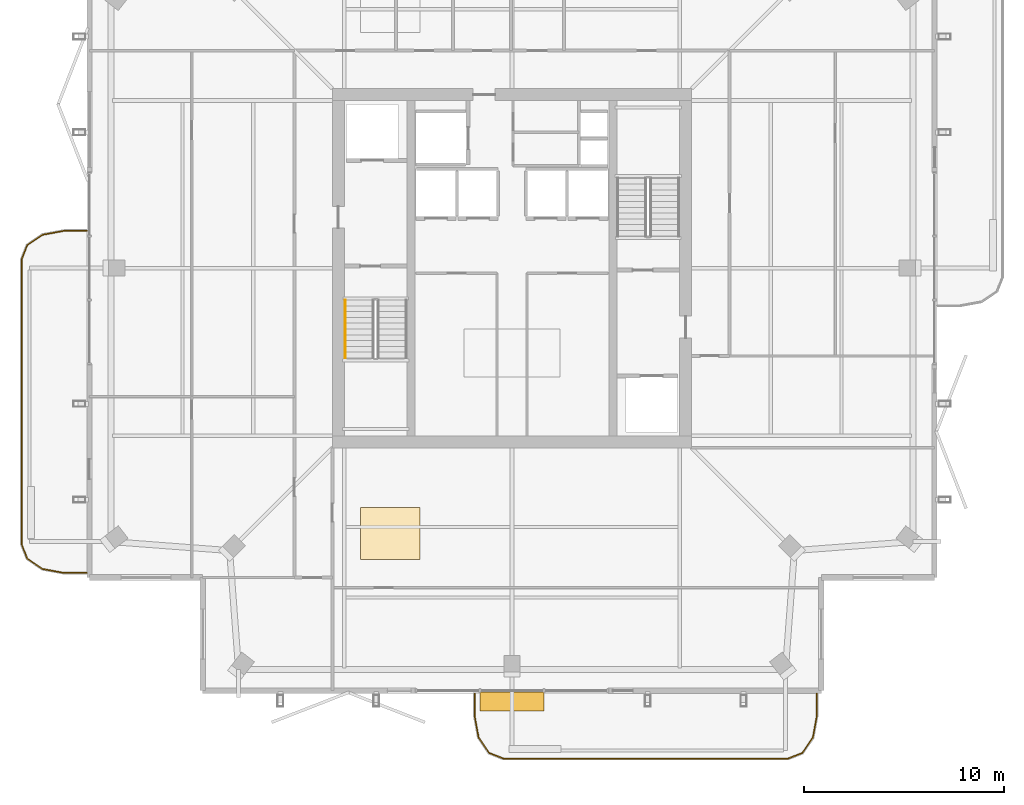
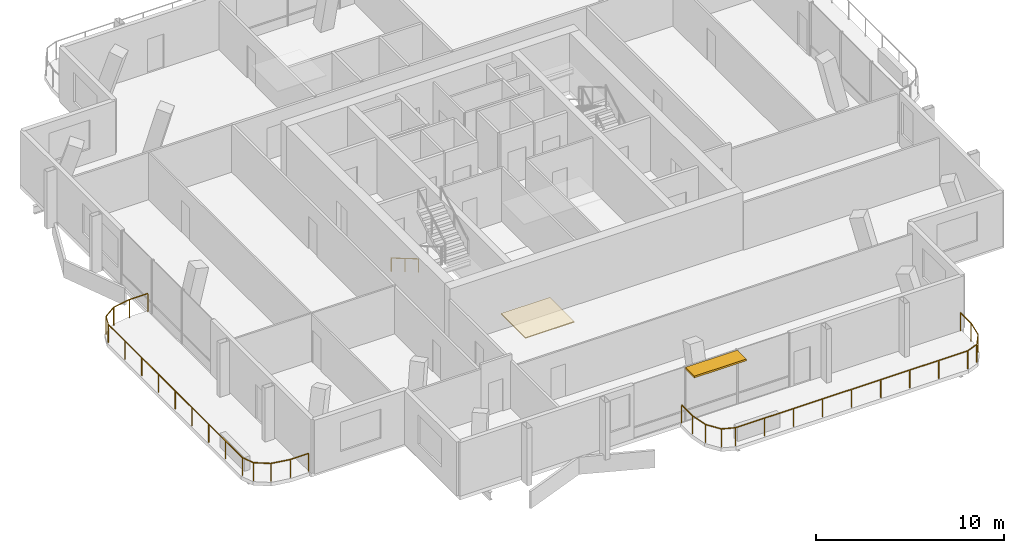
# One storey, part 18 of 20: 3 railings, 1 covering, 1 shading device.
"""IFC4 building model written with IfcOpenShell, lengths in metres."""

import ifcopenshell
import ifcopenshell.guid

model = None  # the IFC model being written
_history = None  # IfcOwnerHistory: only IFC2X3 demands one
_inside = {}  # id of a spatial element -> (the spatial element, [elements in it])
_under = {}  # id of a project, library or spatial element -> (it, [spatial elements below it])
_declared = {}  # id of a project -> (the project, [libraries it declares])
_typed = {}  # id of a type object -> (the type object, [elements of that type])
_made_of = {}  # id of a material, layer set ... -> (it, [elements and type objects made of it])


def new_model(schema):
    """Start an empty IFC model of exactly this schema.

    Asked for "IFC4X3", IfcOpenShell would pick the latest addendum, in which some entities
    have other attributes; the version numbers below select the first issue.
    IFC2X3 requires an IfcOwnerHistory on every rooted entity: one is made here for all.
    """
    global model, _history
    if schema == "IFC4X3":
        model = ifcopenshell.file(schema_version=(4, 3, 0, 0))
    else:
        model = ifcopenshell.file(schema=schema)
    _inside.clear()
    _under.clear()
    _declared.clear()
    _typed.clear()
    _made_of.clear()
    _history = None
    if model.schema == "IFC2X3":
        org = make("IfcOrganization", Name="unknown")
        user = make(
            "IfcPersonAndOrganization",
            ThePerson=make("IfcPerson", FamilyName="unknown"),
            TheOrganization=org,
        )
        app = make(
            "IfcApplication",
            ApplicationDeveloper=org,
            Version="unknown",
            ApplicationFullName="unknown",
            ApplicationIdentifier="unknown",
        )
        _history = make(
            "IfcOwnerHistory",
            OwningUser=user,
            OwningApplication=app,
            ChangeAction="ADDED",
            CreationDate=0,
        )
    return model


def make(cls, **values):
    """One entity of the class cls with the attributes given. An attribute that is None is left unset."""
    return model.create_entity(
        cls, **{name: value for name, value in values.items() if value is not None}
    )


def rooted(cls, **values):
    """An entity with a GlobalId (a new one), such as an element, a storey or a relation."""
    return make(cls, GlobalId=ifcopenshell.guid.new(), OwnerHistory=_history, **values)


def si_unit(unit_type, name, prefix=None):
    """IfcSIUnit, for example si_unit("LENGTHUNIT", "METRE", prefix="MILLI")."""
    return make("IfcSIUnit", UnitType=unit_type, Prefix=prefix, Name=name)


def assignment(units):
    """IfcUnitAssignment: the units of a project."""
    return None if units is None else make("IfcUnitAssignment", Units=units)


def point(xyz):
    """IfcCartesianPoint."""
    return None if xyz is None else make("IfcCartesianPoint", Coordinates=xyz)


def direction(xyz):
    """IfcDirection."""
    return None if xyz is None else make("IfcDirection", DirectionRatios=xyz)


def frame(location, z_axis=None, x_axis=None):
    """IfcAxis2Placement3D, a coordinate frame: its origin and axes. An axis left out is left unset."""
    return make(
        "IfcAxis2Placement3D",
        Location=point(location),
        Axis=direction(z_axis),
        RefDirection=direction(x_axis),
    )


def frame_2d(location, x_axis=None):
    """IfcAxis2Placement2D, a coordinate frame in the plane: its origin and x axis."""
    return make(
        "IfcAxis2Placement2D", Location=point(location), RefDirection=direction(x_axis)
    )


def origin():
    """The frame at (0, 0, 0) with its axes left unset."""
    return frame((0.0, 0.0, 0.0))


def origin_2d():
    """The frame at (0, 0) in the plane with its x axis left unset."""
    return frame_2d((0.0, 0.0))


def place(relative_to, where):
    """IfcLocalPlacement: puts the frame where relative to a parent placement (None: the world)."""
    return make(
        "IfcLocalPlacement", PlacementRelTo=relative_to, RelativePlacement=where
    )


def context(
    kind, dimensions, precision=None, world=None, true_north=None, identifier=None
):
    """IfcGeometricRepresentationContext, for example the 3D "Model" context."""
    return make(
        "IfcGeometricRepresentationContext",
        ContextIdentifier=identifier,
        ContextType=kind,
        CoordinateSpaceDimension=dimensions,
        Precision=precision,
        WorldCoordinateSystem=world,
        TrueNorth=true_north,
    )


def subcontext(parent, identifier, kind, view, scale=None):
    """IfcGeometricRepresentationSubContext, for example "Body" below "Model"."""
    return make(
        "IfcGeometricRepresentationSubContext",
        ContextIdentifier=identifier,
        ContextType=kind,
        ParentContext=parent,
        TargetScale=scale,
        TargetView=view,
    )


def project(units=None, contexts=None):
    """IfcProject with its units and contexts."""
    return rooted(
        "IfcProject",
        Name="project",
        RepresentationContexts=contexts,
        UnitsInContext=assignment(units),
    )


def spatial(cls, under=None, at=None, **own):
    """A site, building, storey or space (cls), placed at a placement, below another one or the project."""
    s = rooted(cls, ObjectPlacement=at, **own)
    if under is not None:
        _under.setdefault(under.id(), (under, []))[1].append(s)
    return s


def polyline(points):
    """IfcPolyline through the points."""
    return make("IfcPolyline", Points=[point(p) for p in points])


def profile(cls, at=None, kind="AREA", **sizes):
    """A parametric profile (cls). Its sizes go by their IFC names, for example OverallWidth=200.0."""
    return make(cls, ProfileType=kind, Position=at, **sizes)


def rectangle(**sizes):
    """IfcRectangleProfileDef."""
    return profile("IfcRectangleProfileDef", **sizes)


def outline(outer, holes=None, kind="AREA"):
    """IfcArbitraryClosedProfileDef: a profile drawn as a closed curve; with holes, ...WithVoids."""
    if holes is None:
        return make("IfcArbitraryClosedProfileDef", ProfileType=kind, OuterCurve=outer)
    return make(
        "IfcArbitraryProfileDefWithVoids",
        ProfileType=kind,
        OuterCurve=outer,
        InnerCurves=holes,
    )


def extrude(swept, where, along, depth):
    """IfcExtrudedAreaSolid: the profile swept, set in the frame where, extruded along a direction by depth."""
    return make(
        "IfcExtrudedAreaSolid",
        SweptArea=swept,
        Position=where,
        ExtrudedDirection=direction(along),
        Depth=depth,
    )


def shape(context_of_items, identifier, shape_type, items):
    """IfcShapeRepresentation: the items that make up one representation, for example the "Body"."""
    return make(
        "IfcShapeRepresentation",
        ContextOfItems=context_of_items,
        RepresentationIdentifier=identifier,
        RepresentationType=shape_type,
        Items=items,
    )


def material(Name=None, Category=None):
    """IfcMaterial."""
    return make("IfcMaterial", Name=Name, Category=Category)


def layer(
    of_material, thickness, ventilated=None, Name=None, Category=None, Priority=None
):
    """IfcMaterialLayer: one layer of a wall or slab, of a material (None: an air gap)."""
    return make(
        "IfcMaterialLayer",
        Material=of_material,
        LayerThickness=thickness,
        IsVentilated=ventilated,
        Name=Name,
        Category=Category,
        Priority=Priority,
    )


def layer_set(layers, Name=None):
    """IfcMaterialLayerSet."""
    return make("IfcMaterialLayerSet", MaterialLayers=layers, LayerSetName=Name)


def made_of(thing, what):
    """Note that an element or type object is made of a material, layer set ...; save() writes the relation."""
    if what is not None:
        _made_of.setdefault(what.id(), (what, []))[1].append(thing)
    return thing


def type_object(cls, material=None, **own):
    """A type object (cls), such as IfcWallType, which elements share."""
    return made_of(rooted(cls, **own), material)


def element(
    cls,
    number,
    at=None,
    inside=None,
    cuts=None,
    type_object=None,
    material=None,
    context=None,
    identifier="Body",
    shape_type=None,
    held_by="IfcProductDefinitionShape",
    body=None,
    shapes=None,
    **own,
):
    """One element of the class cls, such as IfcWall. Its Tag is "e" and its number.

    at: its placement. inside: the storey or other place that contains it. cuts: it is an
    opening in that element (IfcRelVoidsElement). A single representation is given by context,
    identifier, shape_type and body (its items); several are given by shapes. held_by: the class
    of the entity that holds the representations. save() writes the other relations.
    """
    e = rooted(cls, Tag="e%d" % number, ObjectPlacement=at, **own)
    if body is not None:
        shapes = [shape(context, identifier, shape_type, body)]
    if shapes is not None:
        e.Representation = make(held_by, Representations=shapes)
    if inside is not None:
        _inside.setdefault(inside.id(), (inside, []))[1].append(e)
    if cuts is not None:
        rooted(
            "IfcRelVoidsElement", RelatingBuildingElement=cuts, RelatedOpeningElement=e
        )
    if type_object is not None:
        _typed.setdefault(type_object.id(), (type_object, []))[1].append(e)
    return made_of(e, material)


def aggregate(whole, parts):
    """IfcRelAggregates: a whole, such as a stair, and the parts it consists of."""
    return rooted("IfcRelAggregates", RelatingObject=whole, RelatedObjects=parts)


def save(model, path):
    """Write the relations noted so far, then the file.

    IfcRelAggregates (storeys below a building ...), IfcRelContainedInSpatialStructure (elements
    in a storey), IfcRelDefinesByType, IfcRelAssociatesMaterial and IfcRelDeclares: one each for
    every whole, place, type object, material and project.
    """
    for whole, parts in _under.values():
        aggregate(whole, parts)
    for where, things in _inside.values():
        rooted(
            "IfcRelContainedInSpatialStructure",
            RelatedElements=things,
            RelatingStructure=where,
        )
    for kind, things in _typed.values():
        rooted("IfcRelDefinesByType", RelatedObjects=things, RelatingType=kind)
    for what, things in _made_of.values():
        rooted("IfcRelAssociatesMaterial", RelatedObjects=things, RelatingMaterial=what)
    for by, libraries in _declared.values():
        rooted("IfcRelDeclares", RelatingContext=by, RelatedDefinitions=libraries)
    model.write(path)


model = new_model("IFC4")

# Units and contexts
model_context = context("Model", 3, precision=1e-05, world=origin(), true_north=direction((0.0, 1.0)))
body_context = subcontext(model_context, "Body", "Model", "MODEL_VIEW")
ifc_project = project(units=[si_unit("LENGTHUNIT", "METRE"), si_unit("AREAUNIT", "SQUARE_METRE"), si_unit("VOLUMEUNIT", "CUBIC_METRE"), si_unit("PLANEANGLEUNIT", "RADIAN"), si_unit("MASSUNIT", "GRAM", prefix="KILO")], contexts=[model_context])

# Site, building, storey
site_placement = place(None, origin())
site = spatial("IfcSite", under=ifc_project, at=site_placement, CompositionType="ELEMENT")
building_placement = place(site_placement, origin())
building = spatial("IfcBuilding", under=site, at=building_placement, Name="Belovzor Exchange Tower", CompositionType="ELEMENT")
storey_placement = place(building_placement, frame((0.0, 0.0, 351.75)))
storey = spatial("IfcBuildingStorey", under=building, at=storey_placement, Name="L88", CompositionType="ELEMENT", Elevation=351.75)

# Railings
ifc_material_1 = material(Name="Stainless Steel Grade 304", Category="steel")
railing_type_1 = type_object("IfcRailingType", Name="Brushed Stainless Steel Stair Handrail 900", PredefinedType="HANDRAIL", material=ifc_material_1)
railing_1_placement = place(storey_placement, frame((20.449951171875, 27.199951171875, 0.17041015625)))
element("IfcRailing", 1, at=railing_1_placement, inside=storey, type_object=railing_type_1, Name="L88 ST-1 stair handrail 1", PredefinedType="HANDRAIL", context=body_context, shape_type="SweptSolid", body=[
    extrude(rectangle(XDim=0.048095703125, YDim=0.048095703125, at=origin_2d()), frame((0.0, 0.0, 0.8759765625), z_axis=(0.0, -0.86209462966, 0.506747323142), x_axis=(1.0, 0.0, 0.0)), (0.0, 0.0, 1.0), 3.36376953125),
    extrude(rectangle(XDim=0.0419921875, YDim=0.0419921875, at=origin_2d()), origin(), (0.0, 0.0, 1.0), 0.851806640625),
    extrude(rectangle(XDim=0.0419921875, YDim=0.0419921875, at=origin_2d()), frame((0.0, -1.449951171875, 0.852294921875)), (0.0, 0.0, 1.0), 0.851806640625),
    extrude(rectangle(XDim=0.0419921875, YDim=0.0419921875, at=origin_2d()), frame((0.0, -2.89990234375, 1.70458984375)), (0.0, 0.0, 1.0), 0.851806640625),
])
ifc_material_2 = material(Name="Stainless Steel and Laminated Safety Glass", Category="steel")
railing_type_2 = type_object("IfcRailingType", Name="Laminated Glass & Stainless Steel Balcony Balustrade 1200", PredefinedType="BALUSTRADE", material=ifc_material_2)
railing_2_placement = place(storey_placement, frame((26.929931640625, 7.489990234375, 0.0)))
element("IfcRailing", 2, at=railing_2_placement, inside=storey, type_object=railing_type_2, Name="GR-1 Balcony Balustrade L88 South", PredefinedType="BALUSTRADE", context=body_context, shape_type="SweptSolid", body=[
    extrude(rectangle(XDim=0.048095703125, YDim=0.048095703125, at=origin_2d()), frame((0.0, 0.0, 1.17578125), z_axis=(0.0, -1.0, 0.0), x_axis=(1.0, 0.0, 0.0)), (0.0, 0.0, 1.0), 1.133056640625),
    extrude(rectangle(XDim=0.048095703125, YDim=0.048095703125, at=origin_2d()), frame((0.0, -1.133056640625, 1.17578125), z_axis=(0.180122719713, -0.983644145941, 0.0), x_axis=(0.983644145941, 0.180122719713, 0.0)), (0.0, 0.0, 1.0), 1.09375),
    extrude(rectangle(XDim=0.048095703125, YDim=0.048095703125, at=origin_2d()), frame((0.197021484375, -2.208984375, 1.17578125), z_axis=(0.56294695933, -0.826493025367, 0.0), x_axis=(0.826493025367, 0.56294695933, 0.0)), (0.0, 0.0, 1.0), 0.932861328125),
    extrude(rectangle(XDim=0.048095703125, YDim=0.048095703125, at=origin_2d()), frame((0.72216796875, -2.97998046875, 1.17578125), z_axis=(0.930766990125, -0.365612923861, 0.0), x_axis=(0.365612923861, 0.930766990125, 0.0)), (0.0, 0.0, 1.0), 0.765869140625),
    extrude(rectangle(XDim=0.048095703125, YDim=0.048095703125, at=origin_2d()), frame((1.43505859375, -3.260009765625, 1.17578125), z_axis=(1.0, 0.0, 0.0), x_axis=(0.0, 1.0, 0.0)), (0.0, 0.0, 1.0), 14.27001953125),
    extrude(rectangle(XDim=0.048095703125, YDim=0.048095703125, at=origin_2d()), frame((15.705078125, -3.260009765625, 1.17578125), z_axis=(0.930766990125, 0.365612923861, 0.0), x_axis=(-0.365612923861, 0.930766990125, 0.0)), (0.0, 0.0, 1.0), 0.765869140625),
    extrude(rectangle(XDim=0.048095703125, YDim=0.048095703125, at=origin_2d()), frame((16.41796875, -2.97998046875, 1.17578125), z_axis=(0.56294695933, 0.826493025367, 0.0), x_axis=(-0.826493025367, 0.56294695933, 0.0)), (0.0, 0.0, 1.0), 0.932861328125),
    extrude(rectangle(XDim=0.048095703125, YDim=0.048095703125, at=origin_2d()), frame((16.943115234375, -2.208984375, 1.17578125), z_axis=(0.180122719713, 0.983644145941, 0.0), x_axis=(-0.983644145941, 0.180122719713, 0.0)), (0.0, 0.0, 1.0), 1.09375),
    extrude(rectangle(XDim=0.048095703125, YDim=0.048095703125, at=origin_2d()), frame((17.14013671875, -1.133056640625, 1.17578125), z_axis=(0.0, 1.0, 0.0), x_axis=(-1.0, 0.0, 0.0)), (0.0, 0.0, 1.0), 1.133056640625),
    extrude(rectangle(XDim=0.0419921875, YDim=0.0419921875, at=origin_2d()), origin(), (0.0, 0.0, 1.0), 1.15185546875),
    extrude(rectangle(XDim=0.0419921875, YDim=0.0419921875, at=origin_2d()), frame((0.0, -1.133056640625, 0.0)), (0.0, 0.0, 1.0), 1.15185546875),
    extrude(rectangle(XDim=0.0419921875, YDim=0.0419921875, at=origin_2d()), frame((0.197021484375, -2.208984375, 0.0)), (0.0, 0.0, 1.0), 1.15185546875),
    extrude(rectangle(XDim=0.0419921875, YDim=0.0419921875, at=origin_2d()), frame((0.72216796875, -2.97998046875, 0.0)), (0.0, 0.0, 1.0), 1.15185546875),
    extrude(rectangle(XDim=0.0419921875, YDim=0.0419921875, at=origin_2d()), frame((1.43505859375, -3.260009765625, 0.0)), (0.0, 0.0, 1.0), 1.15185546875),
    extrude(rectangle(XDim=0.0419921875, YDim=0.0419921875, at=origin_2d()), frame((3.21875, -3.260009765625, 0.0)), (0.0, 0.0, 1.0), 1.15185546875),
    extrude(rectangle(XDim=0.0419921875, YDim=0.0419921875, at=origin_2d()), frame((5.00244140625, -3.260009765625, 0.0)), (0.0, 0.0, 1.0), 1.15185546875),
    extrude(rectangle(XDim=0.0419921875, YDim=0.0419921875, at=origin_2d()), frame((6.786376953125, -3.260009765625, 0.0)), (0.0, 0.0, 1.0), 1.15185546875),
    extrude(rectangle(XDim=0.0419921875, YDim=0.0419921875, at=origin_2d()), frame((8.570068359375, -3.260009765625, 0.0)), (0.0, 0.0, 1.0), 1.15185546875),
    extrude(rectangle(XDim=0.0419921875, YDim=0.0419921875, at=origin_2d()), frame((10.353759765625, -3.260009765625, 0.0)), (0.0, 0.0, 1.0), 1.15185546875),
    extrude(rectangle(XDim=0.0419921875, YDim=0.0419921875, at=origin_2d()), frame((12.1376953125, -3.260009765625, 0.0)), (0.0, 0.0, 1.0), 1.15185546875),
    extrude(rectangle(XDim=0.0419921875, YDim=0.0419921875, at=origin_2d()), frame((13.92138671875, -3.260009765625, 0.0)), (0.0, 0.0, 1.0), 1.15185546875),
    extrude(rectangle(XDim=0.0419921875, YDim=0.0419921875, at=origin_2d()), frame((15.705078125, -3.260009765625, 0.0)), (0.0, 0.0, 1.0), 1.15185546875),
    extrude(rectangle(XDim=0.0419921875, YDim=0.0419921875, at=origin_2d()), frame((16.41796875, -2.97998046875, 0.0)), (0.0, 0.0, 1.0), 1.15185546875),
    extrude(rectangle(XDim=0.0419921875, YDim=0.0419921875, at=origin_2d()), frame((16.943115234375, -2.208984375, 0.0)), (0.0, 0.0, 1.0), 1.15185546875),
    extrude(rectangle(XDim=0.0419921875, YDim=0.0419921875, at=origin_2d()), frame((17.14013671875, -1.133056640625, 0.0)), (0.0, 0.0, 1.0), 1.15185546875),
    extrude(rectangle(XDim=0.0419921875, YDim=0.0419921875, at=origin_2d()), frame((17.14013671875, 0.0, 0.0)), (0.0, 0.0, 1.0), 1.15185546875),
])
railing_3_placement = place(storey_placement, frame((7.489990234375, 30.669921875, 0.0)))
element("IfcRailing", 3, at=railing_3_placement, inside=storey, type_object=railing_type_2, Name="GR-1 Balcony Balustrade L88 West", PredefinedType="BALUSTRADE", context=body_context, shape_type="SweptSolid", body=[
    extrude(rectangle(XDim=0.048095703125, YDim=0.048095703125, at=origin_2d()), frame((0.0, 0.0, 1.17578125), z_axis=(-1.0, 0.0, 0.0), x_axis=(0.0, -1.0, 0.0)), (0.0, 0.0, 1.0), 1.133056640625),
    extrude(rectangle(XDim=0.048095703125, YDim=0.048095703125, at=origin_2d()), frame((-1.133056640625, 0.0, 1.17578125), z_axis=(-0.983644145941, -0.180122719713, 0.0), x_axis=(0.180122719713, -0.983644145941, 0.0)), (0.0, 0.0, 1.0), 1.09375),
    extrude(rectangle(XDim=0.048095703125, YDim=0.048095703125, at=origin_2d()), frame((-2.208984375, -0.197021484375, 1.17578125), z_axis=(-0.826614792125, -0.562768145367, 0.0), x_axis=(0.562768145367, -0.826614792125, 0.0)), (0.0, 0.0, 1.0), 0.9326171875),
    extrude(rectangle(XDim=0.048095703125, YDim=0.048095703125, at=origin_2d()), frame((-2.97998046875, -0.721923828125, 1.17578125), z_axis=(-0.365612923861, -0.930766990125, 0.0), x_axis=(0.930766990125, -0.365612923861, 0.0)), (0.0, 0.0, 1.0), 0.765869140625),
    extrude(rectangle(XDim=0.048095703125, YDim=0.048095703125, at=origin_2d()), frame((-3.260009765625, -1.434814453125, 1.17578125), z_axis=(0.0, -1.0, 0.0), x_axis=(1.0, 0.0, 0.0)), (0.0, 0.0, 1.0), 14.27001953125),
    extrude(rectangle(XDim=0.048095703125, YDim=0.048095703125, at=origin_2d()), frame((-3.260009765625, -15.704833984375, 1.17578125), z_axis=(0.365504480807, -0.930809580156, 0.0), x_axis=(0.930809580156, 0.365504480807, 0.0)), (0.0, 0.0, 1.0), 0.76611328125),
    extrude(rectangle(XDim=0.048095703125, YDim=0.048095703125, at=origin_2d()), frame((-2.97998046875, -16.41796875, 1.17578125), z_axis=(0.826614792125, -0.562768145367, 0.0), x_axis=(0.562768145367, 0.826614792125, 0.0)), (0.0, 0.0, 1.0), 0.9326171875),
    extrude(rectangle(XDim=0.048095703125, YDim=0.048095703125, at=origin_2d()), frame((-2.208984375, -16.94287109375, 1.17578125), z_axis=(0.983644145941, -0.180122719713, 0.0), x_axis=(0.180122719713, 0.983644145941, 0.0)), (0.0, 0.0, 1.0), 1.09375),
    extrude(rectangle(XDim=0.048095703125, YDim=0.048095703125, at=origin_2d()), frame((-1.133056640625, -17.139892578125, 1.17578125), z_axis=(1.0, 0.0, 0.0), x_axis=(0.0, 1.0, 0.0)), (0.0, 0.0, 1.0), 1.133056640625),
    extrude(rectangle(XDim=0.0419921875, YDim=0.0419921875, at=origin_2d()), origin(), (0.0, 0.0, 1.0), 1.15185546875),
    extrude(rectangle(XDim=0.0419921875, YDim=0.0419921875, at=origin_2d()), frame((-1.133056640625, 0.0, 0.0)), (0.0, 0.0, 1.0), 1.15185546875),
    extrude(rectangle(XDim=0.0419921875, YDim=0.0419921875, at=origin_2d()), frame((-2.208984375, -0.197021484375, 0.0)), (0.0, 0.0, 1.0), 1.15185546875),
    extrude(rectangle(XDim=0.0419921875, YDim=0.0419921875, at=origin_2d()), frame((-2.97998046875, -0.721923828125, 0.0)), (0.0, 0.0, 1.0), 1.15185546875),
    extrude(rectangle(XDim=0.0419921875, YDim=0.0419921875, at=origin_2d()), frame((-3.260009765625, -1.434814453125, 0.0)), (0.0, 0.0, 1.0), 1.15185546875),
    extrude(rectangle(XDim=0.0419921875, YDim=0.0419921875, at=origin_2d()), frame((-3.260009765625, -3.218505859375, 0.0)), (0.0, 0.0, 1.0), 1.15185546875),
    extrude(rectangle(XDim=0.0419921875, YDim=0.0419921875, at=origin_2d()), frame((-3.260009765625, -5.00244140625, 0.0)), (0.0, 0.0, 1.0), 1.15185546875),
    extrude(rectangle(XDim=0.0419921875, YDim=0.0419921875, at=origin_2d()), frame((-3.260009765625, -6.7861328125, 0.0)), (0.0, 0.0, 1.0), 1.15185546875),
    extrude(rectangle(XDim=0.0419921875, YDim=0.0419921875, at=origin_2d()), frame((-3.260009765625, -8.56982421875, 0.0)), (0.0, 0.0, 1.0), 1.15185546875),
    extrude(rectangle(XDim=0.0419921875, YDim=0.0419921875, at=origin_2d()), frame((-3.260009765625, -10.353515625, 0.0)), (0.0, 0.0, 1.0), 1.15185546875),
    extrude(rectangle(XDim=0.0419921875, YDim=0.0419921875, at=origin_2d()), frame((-3.260009765625, -12.13720703125, 0.0)), (0.0, 0.0, 1.0), 1.15185546875),
    extrude(rectangle(XDim=0.0419921875, YDim=0.0419921875, at=origin_2d()), frame((-3.260009765625, -13.921142578125, 0.0)), (0.0, 0.0, 1.0), 1.15185546875),
    extrude(rectangle(XDim=0.0419921875, YDim=0.0419921875, at=origin_2d()), frame((-3.260009765625, -15.704833984375, 0.0)), (0.0, 0.0, 1.0), 1.15185546875),
    extrude(rectangle(XDim=0.0419921875, YDim=0.0419921875, at=origin_2d()), frame((-2.97998046875, -16.41796875, 0.0)), (0.0, 0.0, 1.0), 1.15185546875),
    extrude(rectangle(XDim=0.0419921875, YDim=0.0419921875, at=origin_2d()), frame((-2.208984375, -16.94287109375, 0.0)), (0.0, 0.0, 1.0), 1.15185546875),
    extrude(rectangle(XDim=0.0419921875, YDim=0.0419921875, at=origin_2d()), frame((-1.133056640625, -17.139892578125, 0.0)), (0.0, 0.0, 1.0), 1.15185546875),
    extrude(rectangle(XDim=0.0419921875, YDim=0.0419921875, at=origin_2d()), frame((0.0, -17.139892578125, 0.0)), (0.0, 0.0, 1.0), 1.15185546875),
])

# Covering
ifc_material_3 = material(Name="Perforated Powder-Coated Aluminium", Category="aluminium")
ifc_layer_1 = layer(ifc_material_3, 0.06005859375)
ifc_layer_set_1 = layer_set([ifc_layer_1], Name="Perforated Powder-Coated Aluminium")
covering_type = type_object("IfcCoveringType", Name="Perforated Acoustic Metal Tile Suspended Ceiling 60", PredefinedType="CEILING", material=ifc_layer_set_1)
covering_placement = place(storey_placement, frame((0.0, 0.0, 3.429931640625)))
element("IfcCovering", 4, at=covering_placement, inside=storey, type_object=covering_type, Name="CLG-AC60 Suspended Ceiling CLG-L88-Z0", PredefinedType="CEILING", context=body_context, shape_type="SweptSolid", body=[
    extrude(outline(polyline([(21.199951171875, 14.199951171875), (24.199951171875, 14.199951171875), (24.199951171875, 16.800048828125), (21.199951171875, 16.800048828125), (21.199951171875, 14.199951171875)])), origin(), (0.0, 0.0, 1.0), 0.06005859375),
])

# Shading device
ifc_material_4 = material(Name="Extruded Architectural Terracotta", Category="masonry")
ifc_layer_2 = layer(ifc_material_4, 0.1201171875)
ifc_layer_set_2 = layer_set([ifc_layer_2], Name="Extruded Architectural Terracotta")
shading_device_type = type_object("IfcShadingDeviceType", Name="Streamline Terracotta Horizontal Sunshade Hood 950", PredefinedType="AWNING", material=ifc_layer_set_2)
shading_device_placement = place(storey_placement, frame((28.800048828125, 7.0849609375, 3.369873046875), z_axis=(0.0, 0.0, 1.0), x_axis=(1.0, 0.0, 0.0)))
element("IfcShadingDevice", 5, at=shading_device_placement, inside=storey, type_object=shading_device_type, Name="SHD-TC095 Terracotta Sunshade L88 S", PredefinedType="AWNING", context=body_context, shape_type="SweptSolid", body=[
    extrude(rectangle(XDim=3.199951171875, YDim=0.949951171875, at=origin_2d()), origin(), (0.0, 0.0, 1.0), 0.1201171875),
])

save(model, "model.ifc")
